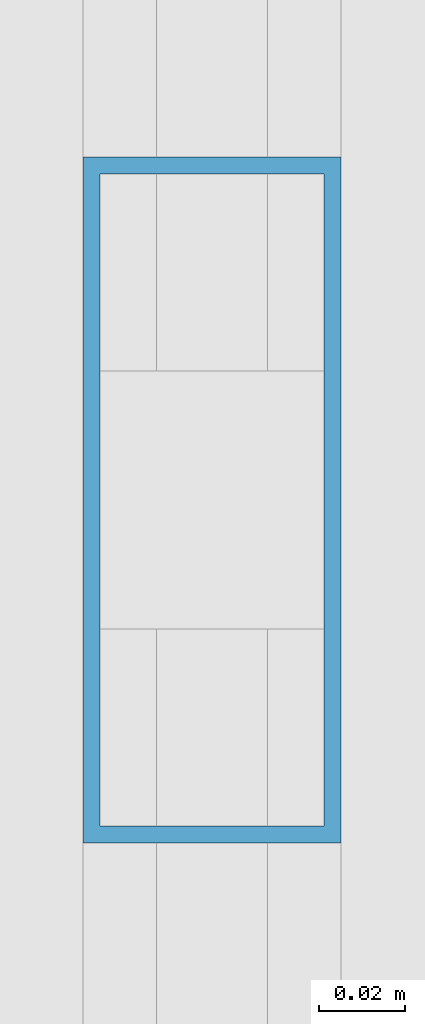
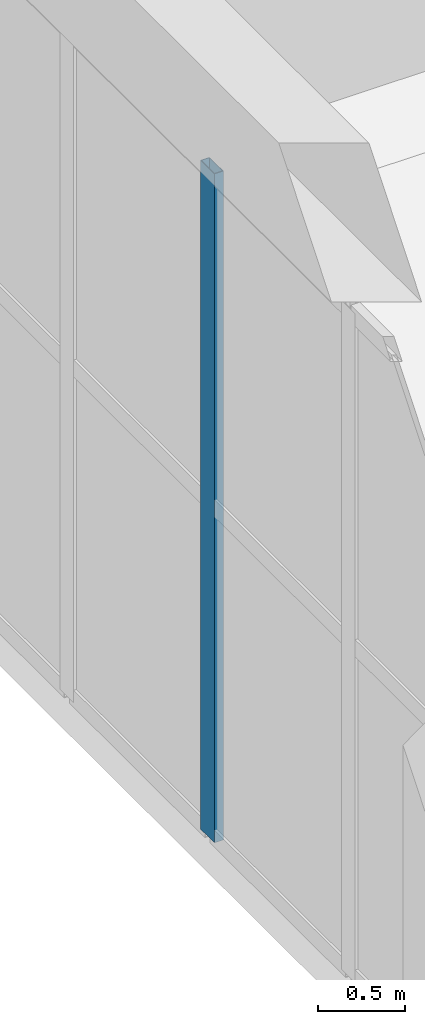
# One storey, part 95 of 223: 1 member, 1 element without a shape of its own.
"""IFC4 building model written with IfcOpenShell, lengths in metres."""

import ifcopenshell
import ifcopenshell.guid

model = None  # the IFC model being written
_history = None  # IfcOwnerHistory: only IFC2X3 demands one
_inside = {}  # id of a spatial element -> (the spatial element, [elements in it])
_under = {}  # id of a project, library or spatial element -> (it, [spatial elements below it])
_declared = {}  # id of a project -> (the project, [libraries it declares])
_typed = {}  # id of a type object -> (the type object, [elements of that type])
_made_of = {}  # id of a material, layer set ... -> (it, [elements and type objects made of it])


def new_model(schema):
    """Start an empty IFC model of exactly this schema.

    Asked for "IFC4X3", IfcOpenShell would pick the latest addendum, in which some entities
    have other attributes; the version numbers below select the first issue.
    IFC2X3 requires an IfcOwnerHistory on every rooted entity: one is made here for all.
    """
    global model, _history
    if schema == "IFC4X3":
        model = ifcopenshell.file(schema_version=(4, 3, 0, 0))
    else:
        model = ifcopenshell.file(schema=schema)
    _inside.clear()
    _under.clear()
    _declared.clear()
    _typed.clear()
    _made_of.clear()
    _history = None
    if model.schema == "IFC2X3":
        org = make("IfcOrganization", Name="unknown")
        user = make(
            "IfcPersonAndOrganization",
            ThePerson=make("IfcPerson", FamilyName="unknown"),
            TheOrganization=org,
        )
        app = make(
            "IfcApplication",
            ApplicationDeveloper=org,
            Version="unknown",
            ApplicationFullName="unknown",
            ApplicationIdentifier="unknown",
        )
        _history = make(
            "IfcOwnerHistory",
            OwningUser=user,
            OwningApplication=app,
            ChangeAction="ADDED",
            CreationDate=0,
        )
    return model


def make(cls, **values):
    """One entity of the class cls with the attributes given. An attribute that is None is left unset."""
    return model.create_entity(
        cls, **{name: value for name, value in values.items() if value is not None}
    )


def rooted(cls, **values):
    """An entity with a GlobalId (a new one), such as an element, a storey or a relation."""
    return make(cls, GlobalId=ifcopenshell.guid.new(), OwnerHistory=_history, **values)


def si_unit(unit_type, name, prefix=None):
    """IfcSIUnit, for example si_unit("LENGTHUNIT", "METRE", prefix="MILLI")."""
    return make("IfcSIUnit", UnitType=unit_type, Prefix=prefix, Name=name)


def assignment(units):
    """IfcUnitAssignment: the units of a project."""
    return None if units is None else make("IfcUnitAssignment", Units=units)


def point(xyz):
    """IfcCartesianPoint."""
    return None if xyz is None else make("IfcCartesianPoint", Coordinates=xyz)


def direction(xyz):
    """IfcDirection."""
    return None if xyz is None else make("IfcDirection", DirectionRatios=xyz)


def frame(location, z_axis=None, x_axis=None):
    """IfcAxis2Placement3D, a coordinate frame: its origin and axes. An axis left out is left unset."""
    return make(
        "IfcAxis2Placement3D",
        Location=point(location),
        Axis=direction(z_axis),
        RefDirection=direction(x_axis),
    )


def frame_2d(location, x_axis=None):
    """IfcAxis2Placement2D, a coordinate frame in the plane: its origin and x axis."""
    return make(
        "IfcAxis2Placement2D", Location=point(location), RefDirection=direction(x_axis)
    )


def origin():
    """The frame at (0, 0, 0) with its axes left unset."""
    return frame((0.0, 0.0, 0.0))


def origin_2d():
    """The frame at (0, 0) in the plane with its x axis left unset."""
    return frame_2d((0.0, 0.0))


def place(relative_to, where):
    """IfcLocalPlacement: puts the frame where relative to a parent placement (None: the world)."""
    return make(
        "IfcLocalPlacement", PlacementRelTo=relative_to, RelativePlacement=where
    )


def context(
    kind, dimensions, precision=None, world=None, true_north=None, identifier=None
):
    """IfcGeometricRepresentationContext, for example the 3D "Model" context."""
    return make(
        "IfcGeometricRepresentationContext",
        ContextIdentifier=identifier,
        ContextType=kind,
        CoordinateSpaceDimension=dimensions,
        Precision=precision,
        WorldCoordinateSystem=world,
        TrueNorth=true_north,
    )


def subcontext(parent, identifier, kind, view, scale=None):
    """IfcGeometricRepresentationSubContext, for example "Body" below "Model"."""
    return make(
        "IfcGeometricRepresentationSubContext",
        ContextIdentifier=identifier,
        ContextType=kind,
        ParentContext=parent,
        TargetScale=scale,
        TargetView=view,
    )


def project(units=None, contexts=None):
    """IfcProject with its units and contexts."""
    return rooted(
        "IfcProject",
        Name="project",
        RepresentationContexts=contexts,
        UnitsInContext=assignment(units),
    )


def spatial(cls, under=None, at=None, **own):
    """A site, building, storey or space (cls), placed at a placement, below another one or the project."""
    s = rooted(cls, ObjectPlacement=at, **own)
    if under is not None:
        _under.setdefault(under.id(), (under, []))[1].append(s)
    return s


def profile(cls, at=None, kind="AREA", **sizes):
    """A parametric profile (cls). Its sizes go by their IFC names, for example OverallWidth=200.0."""
    return make(cls, ProfileType=kind, Position=at, **sizes)


def hollow_rectangle(**sizes):
    """IfcRectangleHollowProfileDef."""
    return profile("IfcRectangleHollowProfileDef", **sizes)


def extrude(swept, where, along, depth):
    """IfcExtrudedAreaSolid: the profile swept, set in the frame where, extruded along a direction by depth."""
    return make(
        "IfcExtrudedAreaSolid",
        SweptArea=swept,
        Position=where,
        ExtrudedDirection=direction(along),
        Depth=depth,
    )


def shape(context_of_items, identifier, shape_type, items):
    """IfcShapeRepresentation: the items that make up one representation, for example the "Body"."""
    return make(
        "IfcShapeRepresentation",
        ContextOfItems=context_of_items,
        RepresentationIdentifier=identifier,
        RepresentationType=shape_type,
        Items=items,
    )


def material(Name=None, Category=None):
    """IfcMaterial."""
    return make("IfcMaterial", Name=Name, Category=Category)


def layer(
    of_material, thickness, ventilated=None, Name=None, Category=None, Priority=None
):
    """IfcMaterialLayer: one layer of a wall or slab, of a material (None: an air gap)."""
    return make(
        "IfcMaterialLayer",
        Material=of_material,
        LayerThickness=thickness,
        IsVentilated=ventilated,
        Name=Name,
        Category=Category,
        Priority=Priority,
    )


def layer_set(layers, Name=None):
    """IfcMaterialLayerSet."""
    return make("IfcMaterialLayerSet", MaterialLayers=layers, LayerSetName=Name)


def material_profile(
    of_material, cross_section, Name=None, Category=None, Priority=None
):
    """IfcMaterialProfile: a cross section and its material."""
    return make(
        "IfcMaterialProfile",
        Name=Name,
        Material=of_material,
        Profile=cross_section,
        Priority=Priority,
        Category=Category,
    )


def profile_set(profiles, Name=None, composite=None):
    """IfcMaterialProfileSet."""
    return make(
        "IfcMaterialProfileSet",
        Name=Name,
        MaterialProfiles=profiles,
        CompositeProfile=composite,
    )


def made_of(thing, what):
    """Note that an element or type object is made of a material, layer set ...; save() writes the relation."""
    if what is not None:
        _made_of.setdefault(what.id(), (what, []))[1].append(thing)
    return thing


def type_object(cls, material=None, **own):
    """A type object (cls), such as IfcWallType, which elements share."""
    return made_of(rooted(cls, **own), material)


def element(
    cls,
    number,
    at=None,
    inside=None,
    cuts=None,
    type_object=None,
    material=None,
    context=None,
    identifier="Body",
    shape_type=None,
    held_by="IfcProductDefinitionShape",
    body=None,
    shapes=None,
    **own,
):
    """One element of the class cls, such as IfcWall. Its Tag is "e" and its number.

    at: its placement. inside: the storey or other place that contains it. cuts: it is an
    opening in that element (IfcRelVoidsElement). A single representation is given by context,
    identifier, shape_type and body (its items); several are given by shapes. held_by: the class
    of the entity that holds the representations. save() writes the other relations.
    """
    e = rooted(cls, Tag="e%d" % number, ObjectPlacement=at, **own)
    if body is not None:
        shapes = [shape(context, identifier, shape_type, body)]
    if shapes is not None:
        e.Representation = make(held_by, Representations=shapes)
    if inside is not None:
        _inside.setdefault(inside.id(), (inside, []))[1].append(e)
    if cuts is not None:
        rooted(
            "IfcRelVoidsElement", RelatingBuildingElement=cuts, RelatedOpeningElement=e
        )
    if type_object is not None:
        _typed.setdefault(type_object.id(), (type_object, []))[1].append(e)
    return made_of(e, material)


def aggregate(whole, parts):
    """IfcRelAggregates: a whole, such as a stair, and the parts it consists of."""
    return rooted("IfcRelAggregates", RelatingObject=whole, RelatedObjects=parts)


def save(model, path):
    """Write the relations noted so far, then the file.

    IfcRelAggregates (storeys below a building ...), IfcRelContainedInSpatialStructure (elements
    in a storey), IfcRelDefinesByType, IfcRelAssociatesMaterial and IfcRelDeclares: one each for
    every whole, place, type object, material and project.
    """
    for whole, parts in _under.values():
        aggregate(whole, parts)
    for where, things in _inside.values():
        rooted(
            "IfcRelContainedInSpatialStructure",
            RelatedElements=things,
            RelatingStructure=where,
        )
    for kind, things in _typed.values():
        rooted("IfcRelDefinesByType", RelatedObjects=things, RelatingType=kind)
    for what, things in _made_of.values():
        rooted("IfcRelAssociatesMaterial", RelatedObjects=things, RelatingMaterial=what)
    for by, libraries in _declared.values():
        rooted("IfcRelDeclares", RelatingContext=by, RelatedDefinitions=libraries)
    model.write(path)


model = new_model("IFC4")

# Units and contexts
model_context = context("Model", 3, precision=1e-05, world=origin(), true_north=direction((0.0, 1.0)))
body_context = subcontext(model_context, "Body", "Model", "MODEL_VIEW")
ifc_project = project(units=[si_unit("LENGTHUNIT", "METRE"), si_unit("AREAUNIT", "SQUARE_METRE"), si_unit("VOLUMEUNIT", "CUBIC_METRE"), si_unit("PLANEANGLEUNIT", "RADIAN"), si_unit("MASSUNIT", "GRAM", prefix="KILO")], contexts=[model_context])

# Site, building, storey
site_placement = place(None, origin())
site = spatial("IfcSite", under=ifc_project, at=site_placement, CompositionType="ELEMENT")
building_placement = place(site_placement, origin())
building = spatial("IfcBuilding", under=site, at=building_placement, Name="Dornveld Trade and Exhibition Forum", CompositionType="ELEMENT")
storey_placement = place(building_placement, frame((0.0, 0.0, 6.0)))
storey = spatial("IfcBuildingStorey", under=building, at=storey_placement, Name="L01", CompositionType="ELEMENT", Elevation=6.0)

# Curtain wall, member
ifc_material_1 = material(Name="Dark-bronze anodised aluminium and low-E glass", Category="aluminium")
ifc_layer = layer(ifc_material_1, 0.1689453125)
ifc_layer_set = layer_set([ifc_layer], Name="Dark-bronze anodised aluminium and low-E glass")
curtain_wall_type = type_object("IfcCurtainWallType", Name="CW-SYS-09", PredefinedType="USERDEFINED", material=ifc_layer_set)
curtain_wall_placement = place(storey_placement, origin())
curtain_wall = element("IfcCurtainWall", 1, at=curtain_wall_placement, inside=storey, type_object=curtain_wall_type, Name="L01 unitised curtain wall 9", ObjectType="UNITISED_CURTAIN_WALL", PredefinedType="USERDEFINED")
ifc_material_2 = material(Name="Dark-bronze anodised aluminium", Category="aluminium")
ifc_material_profile = material_profile(ifc_material_2, hollow_rectangle(XDim=0.06005859375, YDim=0.159912109375, WallThickness=0.00390625, at=origin_2d()), Name="RHS 160x60x4")
ifc_profile_set = profile_set([ifc_material_profile], Name="Dark-bronze anodised aluminium")
member_type = type_object("IfcMemberType", Name="CW-MUL-160", PredefinedType="MULLION", material=ifc_profile_set)
member_placement = place(storey_placement, frame((171.0, 120.689208984375, -0.00390625), z_axis=(0.0, 0.0, 1.0), x_axis=(-1.0, 0.0, 0.0)))
member = element("IfcMember", 2, at=member_placement, type_object=member_type, Name="CW-09 mullion 3", PredefinedType="MULLION", context=body_context, shape_type="SweptSolid", body=[
    extrude(hollow_rectangle(XDim=0.06005859375, YDim=0.159912109375, WallThickness=0.00390625, at=origin_2d()), origin(), (0.0, 0.0, 1.0), 4.703857421875),
])
aggregate(curtain_wall, [member])

save(model, "model.ifc")
